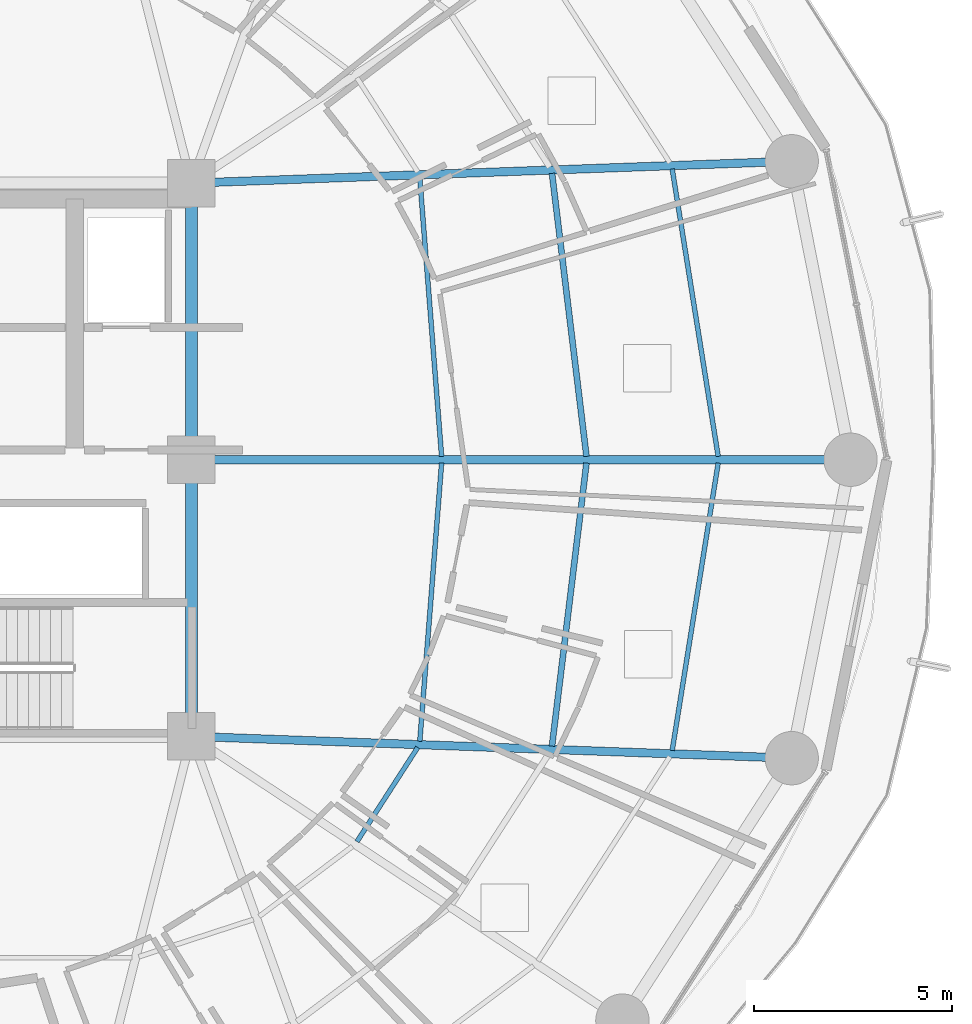
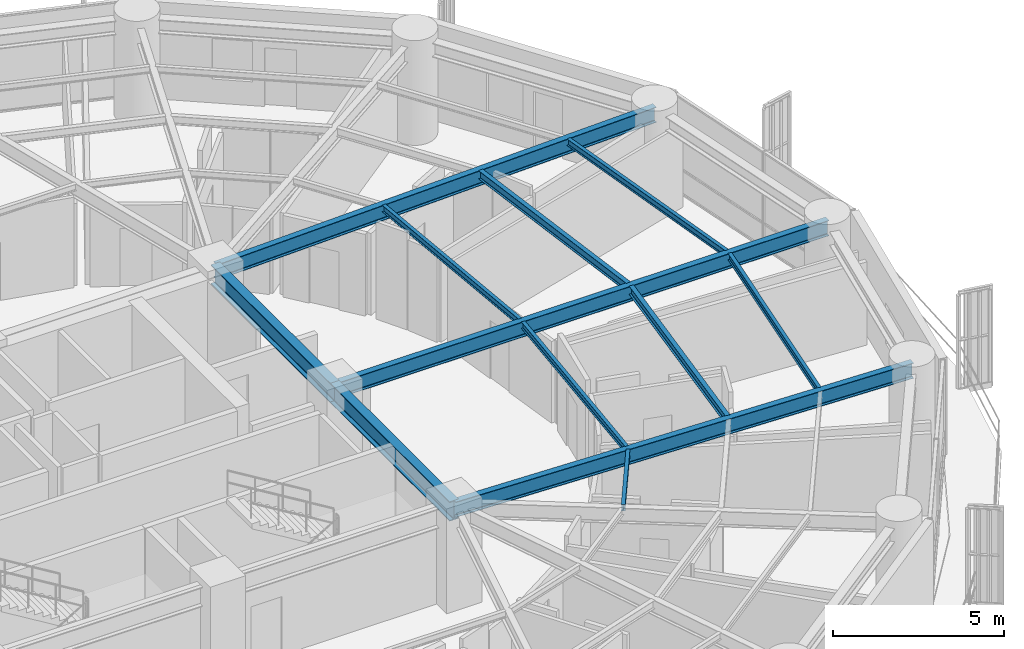
# One storey, part 15 of 37: 12 beams.
"""IFC4 building model written with IfcOpenShell, lengths in metres."""

from ifc_helpers import new_model, si_unit, direction, frame, origin, origin_2d, place, context, subcontext, project, spatial, i_section, extrude, material, material_profile, profile_set, type_object, element, save


model = new_model("IFC4")

# Units and contexts
model_context = context("Model", 3, precision=1e-05, world=origin(), true_north=direction((0.0, 1.0)))
body_context = subcontext(model_context, "Body", "Model", "MODEL_VIEW")
ifc_project = project(units=[si_unit("LENGTHUNIT", "METRE"), si_unit("AREAUNIT", "SQUARE_METRE"), si_unit("VOLUMEUNIT", "CUBIC_METRE"), si_unit("PLANEANGLEUNIT", "RADIAN"), si_unit("MASSUNIT", "GRAM", prefix="KILO")], contexts=[model_context])

# Site, building, storey
site_placement = place(None, origin())
site = spatial("IfcSite", under=ifc_project, at=site_placement, CompositionType="ELEMENT")
building_placement = place(site_placement, origin())
building = spatial("IfcBuilding", under=site, at=building_placement, Name="Kelanora Arch Commons", CompositionType="ELEMENT")
storey_placement = place(building_placement, frame((0.0, 0.0, 110.10009765625)))
storey = spatial("IfcBuildingStorey", under=building, at=storey_placement, Name="L28", CompositionType="ELEMENT", Elevation=110.10009765625)

# Beams
ifc_material = material(Name="Steel S355", Category="steel")
ifc_material_profile_1 = material_profile(ifc_material, i_section(OverallWidth=0.300048828125, OverallDepth=0.699951171875, WebThickness=0.01708984375, FlangeThickness=0.031982421875, FilletRadius=0.027099609375, at=origin_2d()), Name="HEB700")
ifc_profile_set_1 = profile_set([ifc_material_profile_1], Name="Steel S355")
beam_type_1 = type_object("IfcBeamType", Name="BM-CORE-HDR", PredefinedType="BEAM", material=ifc_profile_set_1)
for number, where, z_axis, x_axis, name in (
    (1, (82.0, 51.0, 3.139892578125), (0.0, 1.0, 0.0), (-1.0, 0.0, 0.0), "Core Header Beam 03 L28"),
    (2, (82.0, 58.0, 3.139892578125), (0.0, 1.0, 0.0), (-1.0, 0.0, 0.0), "Core Header Beam 04 L28"),
):
    element("IfcBeam", number, at=place(storey_placement, frame(where, z_axis=z_axis, x_axis=x_axis)), inside=storey, type_object=beam_type_1, Name=name, PredefinedType="BEAM", context=body_context, shape_type="SweptSolid", body=[
        extrude(i_section(OverallWidth=0.300048828125, OverallDepth=0.699951171875, WebThickness=0.01708984375, FlangeThickness=0.031982421875, FilletRadius=0.027099609375, at=origin_2d()), origin(), (0.0, 0.0, 1.0), 7.0),
    ])
ifc_material_profile_2 = material_profile(ifc_material, i_section(OverallWidth=0.14990234375, OverallDepth=0.300048828125, WebThickness=0.007080078125, FlangeThickness=0.0107421875, FilletRadius=0.014892578125, at=origin_2d()), Name="IPE300")
ifc_profile_set_2 = profile_set([ifc_material_profile_2], Name="Steel S355")
beam_type_2 = type_object("IfcBeamType", Name="BM-JST-01", PredefinedType="JOIST", material=ifc_profile_set_2)
for number, where, z_axis, x_axis, name in (
    (3, (91.997802734375, 58.08447265625, 3.33984375), (-0.120935645266, 0.992660349618, 0.0), (-0.992660349618, -0.120935645266, 0.0), "Secondary Chord Joist BJB-00 L28"),
    (4, (91.125244140625, 50.75341796875, 3.33984375), (0.120935645266, 0.992660349618, 0.0), (-0.992660349618, 0.120935645266, 0.0), "Secondary Chord Joist BJB-34 L28"),
):
    element("IfcBeam", number, at=place(storey_placement, frame(where, z_axis=z_axis, x_axis=x_axis)), inside=storey, type_object=beam_type_2, Name=name, PredefinedType="JOIST", context=body_context, shape_type="SweptSolid", body=[
        extrude(i_section(OverallWidth=0.14990234375, OverallDepth=0.300048828125, WebThickness=0.007080078125, FlangeThickness=0.0107421875, FilletRadius=0.014892578125, at=origin_2d()), origin(), (0.0, 0.0, 1.0), 7.215087890625),
    ])
ifc_material_profile_3 = material_profile(ifc_material, i_section(OverallWidth=0.1201171875, OverallDepth=0.239990234375, WebThickness=0.006103515625, FlangeThickness=0.009765625, FilletRadius=0.014892578125, at=origin_2d()), Name="IPE240")
ifc_profile_set_3 = profile_set([ifc_material_profile_3], Name="Steel S355")
beam_type_3 = type_object("IfcBeamType", Name="BM-JST-02", PredefinedType="JOIST", material=ifc_profile_set_3)
beam_1_placement = place(storey_placement, frame((88.331787109375, 58.084716796875, 3.369873046875), z_axis=(-0.078200677502, 0.996937637989, 0.0), x_axis=(-0.996937637989, -0.078200677502, 0.0)))
element("IfcBeam", 5, at=beam_1_placement, inside=storey, type_object=beam_type_3, Name="Secondary Chord Joist BJA-00 L28", PredefinedType="JOIST", context=body_context, shape_type="SweptSolid", body=[
    extrude(i_section(OverallWidth=0.1201171875, OverallDepth=0.239990234375, WebThickness=0.006103515625, FlangeThickness=0.009765625, FilletRadius=0.014892578125, at=origin_2d()), origin(), (0.0, 0.0, 1.0), 7.06201171875),
])
beam_2_placement = place(storey_placement, frame((95.33056640625, 58.083984375, 3.369873046875), z_axis=(-0.157999549894, 0.987439184068, 0.0), x_axis=(-0.987439184068, -0.157999549894, 0.0)))
element("IfcBeam", 6, at=beam_2_placement, inside=storey, type_object=beam_type_3, Name="Secondary Chord Joist BJC-00 L28", PredefinedType="JOIST", context=body_context, shape_type="SweptSolid", body=[
    extrude(i_section(OverallWidth=0.1201171875, OverallDepth=0.239990234375, WebThickness=0.006103515625, FlangeThickness=0.009765625, FilletRadius=0.014892578125, at=origin_2d()), origin(), (0.0, 0.0, 1.0), 7.365966796875),
])
beam_3_placement = place(storey_placement, frame((86.1904296875, 48.338134765625, 3.369873046875), z_axis=(0.542211255502, 0.840242199849, 0.0), x_axis=(-0.840242199849, 0.542211255502, 0.0)))
element("IfcBeam", 7, at=beam_3_placement, inside=storey, type_object=beam_type_3, Name="Secondary Chord Joist BJA-32 L28", PredefinedType="JOIST", context=body_context, shape_type="SweptSolid", body=[
    extrude(i_section(OverallWidth=0.1201171875, OverallDepth=0.239990234375, WebThickness=0.006103515625, FlangeThickness=0.009765625, FilletRadius=0.014892578125, at=origin_2d()), origin(), (0.0, 0.0, 1.0), 2.83349609375),
])
beam_4_placement = place(storey_placement, frame((87.779541015625, 50.875, 3.369873046875), z_axis=(0.078200677502, 0.996937637989, 0.0), x_axis=(-0.996937637989, 0.078200677502, 0.0)))
element("IfcBeam", 8, at=beam_4_placement, inside=storey, type_object=beam_type_3, Name="Secondary Chord Joist BJA-34 L28", PredefinedType="JOIST", context=body_context, shape_type="SweptSolid", body=[
    extrude(i_section(OverallWidth=0.1201171875, OverallDepth=0.239990234375, WebThickness=0.006103515625, FlangeThickness=0.009765625, FilletRadius=0.014892578125, at=origin_2d()), origin(), (0.0, 0.0, 1.0), 7.06201171875),
])
beam_5_placement = place(storey_placement, frame((94.166748046875, 50.642578125, 3.369873046875), z_axis=(0.157999549894, 0.987439184068, 0.0), x_axis=(-0.987439184068, 0.157999549894, 0.0)))
element("IfcBeam", 9, at=beam_5_placement, inside=storey, type_object=beam_type_3, Name="Secondary Chord Joist BJC-34 L28", PredefinedType="JOIST", context=body_context, shape_type="SweptSolid", body=[
    extrude(i_section(OverallWidth=0.1201171875, OverallDepth=0.239990234375, WebThickness=0.006103515625, FlangeThickness=0.009765625, FilletRadius=0.014892578125, at=origin_2d()), origin(), (0.0, 0.0, 1.0), 7.365966796875),
])
ifc_material_profile_4 = material_profile(ifc_material, i_section(OverallWidth=0.2099609375, OverallDepth=0.550048828125, WebThickness=0.010986328125, FlangeThickness=0.01708984375, FilletRadius=0.02392578125, at=origin_2d()), Name="IPE550")
ifc_profile_set_4 = profile_set([ifc_material_profile_4], Name="Steel S355")
beam_type_4 = type_object("IfcBeamType", Name="BM-RAD-Z2", PredefinedType="BEAM", material=ifc_profile_set_4)
beam_6_placement = place(storey_placement, frame((82.0, 58.0, 3.21484375), z_axis=(1.0, 0.0, 0.0), x_axis=(0.0, 1.0, 0.0)))
element("IfcBeam", 10, at=beam_6_placement, inside=storey, type_object=beam_type_4, Name="Radial Floor Girder BR-00 L28", PredefinedType="BEAM", context=body_context, shape_type="SweptSolid", body=[
    extrude(i_section(OverallWidth=0.2099609375, OverallDepth=0.550048828125, WebThickness=0.010986328125, FlangeThickness=0.01708984375, FilletRadius=0.02392578125, at=origin_2d()), origin(), (0.0, 0.0, 1.0), 16.679931640625),
])
for number, where, z_axis, x_axis, name in (
    (11, (82.0, 65.0, 3.21484375), (0.999341087625, 0.036295875581, 0.0), (-0.036295875581, 0.999341087625, 0.0), "Radial Floor Girder BR-02 L28"),
    (12, (82.0, 51.0, 3.21484375), (0.999341087625, -0.036295875581, 0.0), (0.036295875581, 0.999341087625, 0.0), "Radial Floor Girder BR-34 L28"),
):
    element("IfcBeam", number, at=place(storey_placement, frame(where, z_axis=z_axis, x_axis=x_axis)), inside=storey, type_object=beam_type_4, Name=name, PredefinedType="BEAM", context=body_context, shape_type="SweptSolid", body=[
        extrude(i_section(OverallWidth=0.2099609375, OverallDepth=0.550048828125, WebThickness=0.010986328125, FlangeThickness=0.01708984375, FilletRadius=0.02392578125, at=origin_2d()), origin(), (0.0, 0.0, 1.0), 15.20166015625),
    ])

save(model, "model.ifc")
